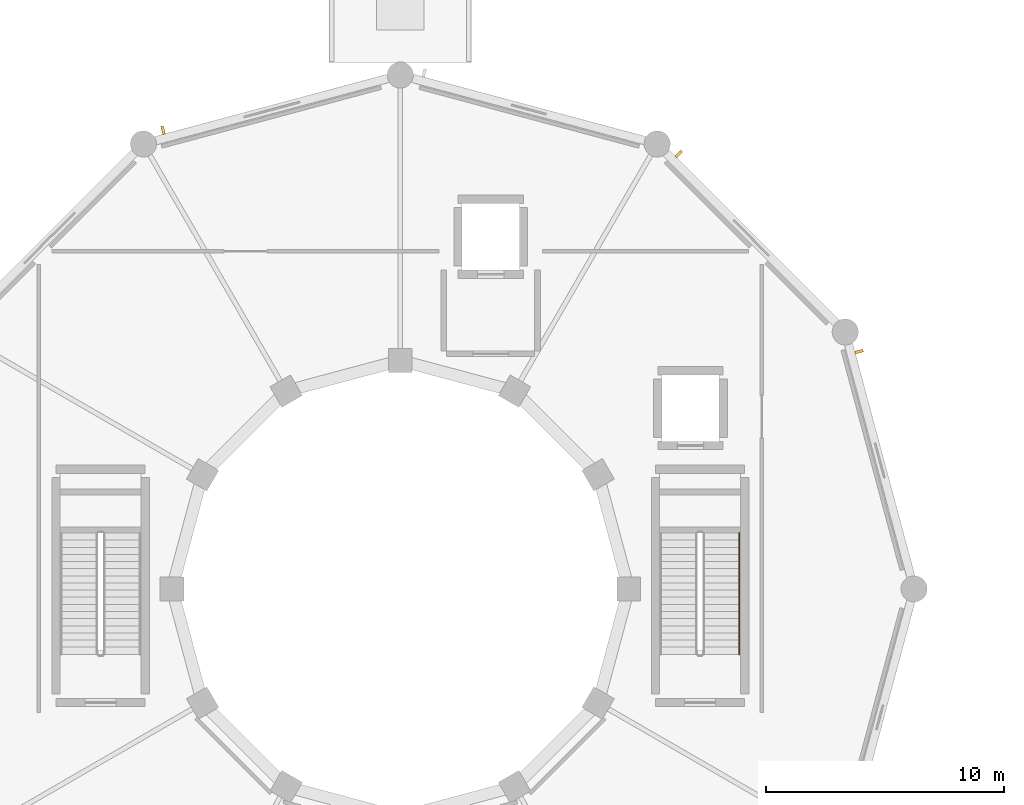
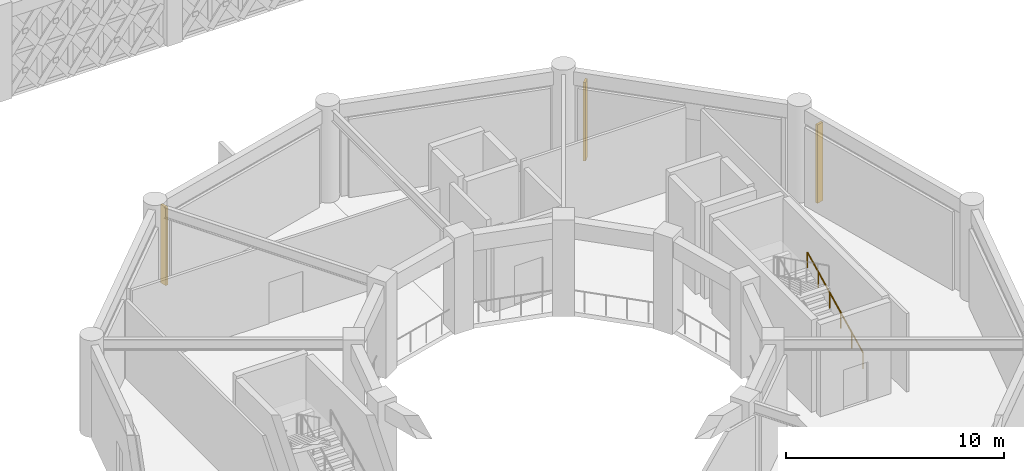
# One storey, part 83 of 86: 3 shading devices, 1 railing.
"""IFC4 building model written with IfcOpenShell, lengths in metres."""

from ifc_helpers import new_model, si_unit, direction, frame, origin, origin_2d, place, context, subcontext, project, spatial, rectangle, circle, extrude, material, type_object, element, save


model = new_model("IFC4")

# Units and contexts
model_context = context("Model", 3, precision=1e-05, world=origin(), true_north=direction((0.0, 1.0)))
body_context = subcontext(model_context, "Body", "Model", "MODEL_VIEW")
ifc_project = project(units=[si_unit("LENGTHUNIT", "METRE"), si_unit("AREAUNIT", "SQUARE_METRE"), si_unit("VOLUMEUNIT", "CUBIC_METRE"), si_unit("PLANEANGLEUNIT", "RADIAN"), si_unit("MASSUNIT", "GRAM", prefix="KILO")], contexts=[model_context])

# Site, building, storey
site_placement = place(None, origin())
site = spatial("IfcSite", under=ifc_project, at=site_placement, CompositionType="ELEMENT")
building_placement = place(site_placement, origin())
building = spatial("IfcBuilding", under=site, at=building_placement, Name="Haizhuo Lancet Aquarium", CompositionType="ELEMENT")
storey_placement = place(building_placement, frame((0.0, 0.0, 16.199951171875)))
storey = spatial("IfcBuildingStorey", under=building, at=storey_placement, Name="L03", CompositionType="ELEMENT", Elevation=16.199951171875)

# Railing
ifc_material_1 = material(Name="Steel S355", Category="steel")
railing_type = type_object("IfcRailingType", Name="RL-HDR-900", PredefinedType="HANDRAIL", material=ifc_material_1)
railing_placement = place(storey_placement, frame((14.25, -2.75, 0.150146484375)))
element("IfcRailing", 1, at=railing_placement, inside=storey, type_object=railing_type, Name="L03 ST-02 pitch handrail 1", PredefinedType="HANDRAIL", context=body_context, shape_type="SweptSolid", body=[
    extrude(circle(Radius=0.02392578125, at=origin_2d()), frame((0.0, 0.02685546875, 0.88916015625), z_axis=(0.0, 0.89444431709, 0.44717934168), x_axis=(-1.0, 0.0, 0.0)), (0.0, 0.0, 1.0), 5.64208984375),
    extrude(circle(Radius=0.02099609375, at=origin_2d()), origin(), (0.0, 0.0, 1.0), 0.847900390625),
    extrude(circle(Radius=0.02099609375, at=origin_2d()), frame((0.0, 1.02001953125, 0.510009765625)), (0.0, 0.0, 1.0), 0.847900390625),
    extrude(circle(Radius=0.02099609375, at=origin_2d()), frame((0.0, 2.0400390625, 1.02001953125)), (0.0, 0.0, 1.0), 0.847900390625),
    extrude(circle(Radius=0.02099609375, at=origin_2d()), frame((0.0, 3.06005859375, 1.52978515625)), (0.0, 0.0, 1.0), 0.847900390625),
    extrude(circle(Radius=0.02099609375, at=origin_2d()), frame((0.0, 4.080078125, 2.039794921875)), (0.0, 0.0, 1.0), 0.847900390625),
    extrude(circle(Radius=0.02099609375, at=origin_2d()), frame((0.0, 5.10009765625, 2.5498046875)), (0.0, 0.0, 1.0), 0.847900390625),
])

# Shading devices
ifc_material_2 = material(Name="Shandong Grey Limestone Ashlar", Category="masonry")
shading_device_type = type_object("IfcShadingDeviceType", Name="SHD-LAN-FIN", PredefinedType="JALOUSIE", material=ifc_material_2)
for number, where, z_axis, x_axis, name in (
    (2, (19.283935546875, 9.97607421875, -0.00048828125), (0.0, 0.0, 1.0), (0.258846155491, -0.965918561675, 0.0), "L03 Gothic lancet stone solar fin 25"),
    (3, (11.7119140625, 18.281005859375, -0.00048828125), (0.0, 0.0, 1.0), (0.707106781187, -0.707106781187, 0.0), "L03 Gothic lancet stone solar fin 26"),
    (4, (-9.97607421875, 19.283935546875, -0.00048828125), (0.0, 0.0, 1.0), (0.965918561675, 0.258846155491, 0.0), "L03 Gothic lancet stone solar fin 28"),
):
    element("IfcShadingDevice", number, at=place(storey_placement, frame(where, z_axis=z_axis, x_axis=x_axis)), inside=storey, type_object=shading_device_type, material=ifc_material_2, Name=name, PredefinedType="JALOUSIE", context=body_context, shape_type="SweptSolid", body=[
        extrude(rectangle(XDim=0.1201171875, YDim=0.35009765625, at=origin_2d()), origin(), (0.0, 0.0, 1.0), 4.385009765625),
    ])

save(model, "model.ifc")
